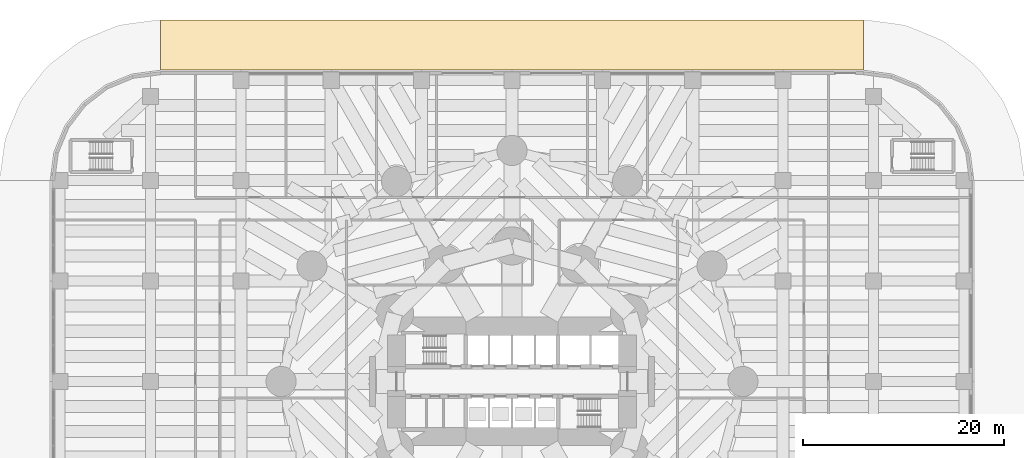
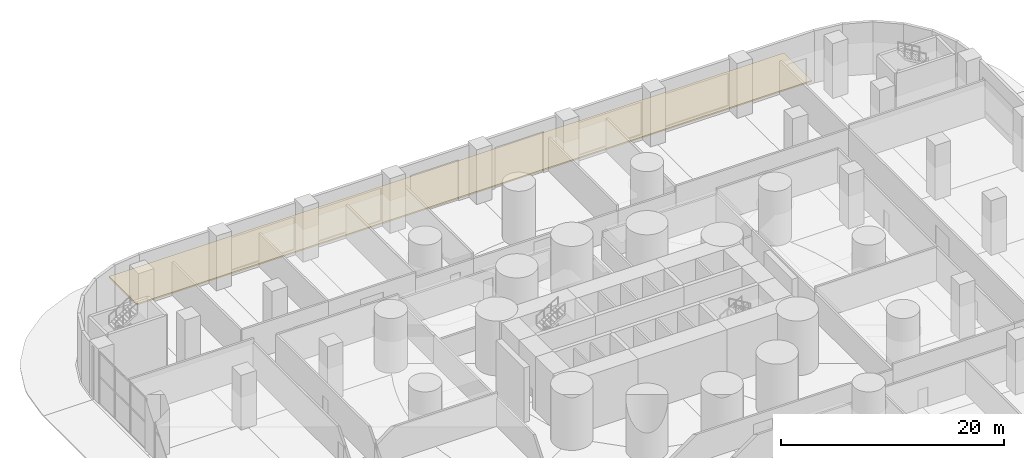
# One storey, part 19 of 20: 1 covering.
"""IFC4 building model written with IfcOpenShell, lengths in metres."""

from ifc_helpers import new_model, si_unit, direction, frame, origin, place, context, subcontext, project, spatial, polyline, outline, extrude, material, layer, layer_set, type_object, element, save


model = new_model("IFC4")

# Units and contexts
model_context = context("Model", 3, precision=1e-05, world=origin(), true_north=direction((0.0, 1.0)))
body_context = subcontext(model_context, "Body", "Model", "MODEL_VIEW")
ifc_project = project(units=[si_unit("LENGTHUNIT", "METRE"), si_unit("AREAUNIT", "SQUARE_METRE"), si_unit("VOLUMEUNIT", "CUBIC_METRE"), si_unit("PLANEANGLEUNIT", "RADIAN"), si_unit("MASSUNIT", "GRAM", prefix="KILO")], contexts=[model_context])

# Site, building, storey
site_placement = place(None, origin())
site = spatial("IfcSite", under=ifc_project, at=site_placement, CompositionType="ELEMENT")
building_placement = place(site_placement, origin())
building = spatial("IfcBuilding", under=site, at=building_placement, Name="Qaws Media Tower", CompositionType="ELEMENT")
storey_placement = place(building_placement, origin())
storey = spatial("IfcBuildingStorey", under=building, at=storey_placement, Name="L00", CompositionType="ELEMENT", Elevation=0.0)

# Covering
ifc_material = material(Name="Granite setts on concrete bed", Category="masonry")
ifc_layer = layer(ifc_material, 0.14990234375)
ifc_layer_set = layer_set([ifc_layer], Name="Plaza paving 150")
covering_type = type_object("IfcCoveringType", Name="Plaza paving 150", PredefinedType="USERDEFINED", material=ifc_layer_set)
covering_placement = place(storey_placement, frame((0.0, 0.0, -0.14990234375)))
element("IfcCovering", 1, at=covering_placement, inside=storey, type_object=covering_type, Name="PV1 plaza paving, north street", ObjectType="PAVING", PredefinedType="USERDEFINED", context=body_context, shape_type="SweptSolid", body=[
    extrude(outline(polyline([(95.0, 86.0), (95.0, 81.0), (25.0, 81.0), (25.0, 86.0), (95.0, 86.0)])), origin(), (0.0, 0.0, 1.0), 0.14990234375),
])

save(model, "model.ifc")
